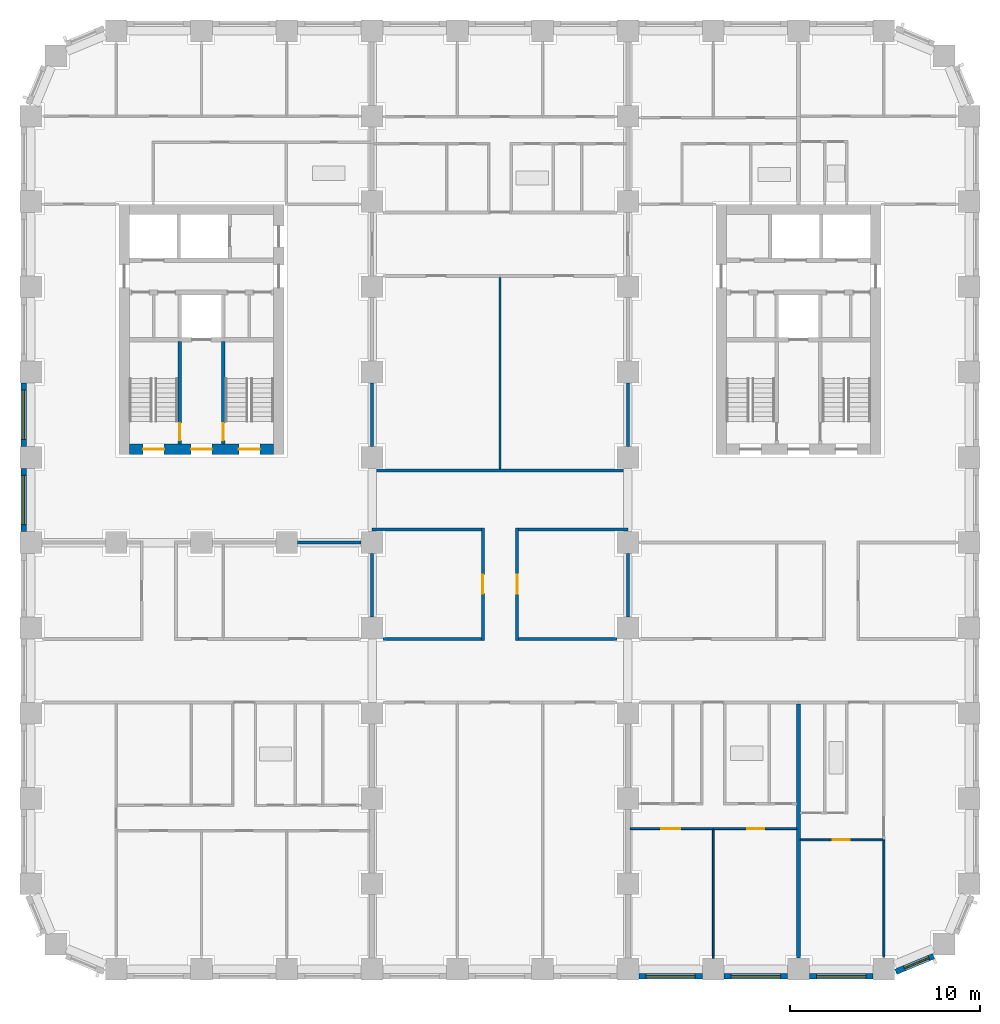
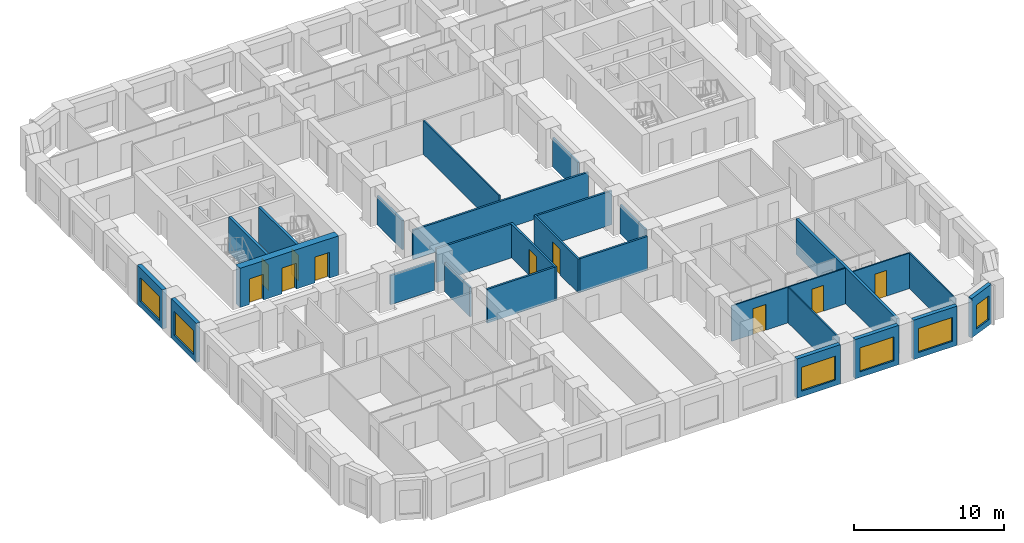
# One storey, part 4 of 13: 28 walls, 10 doors, 6 windows, 16 openings.
"""IFC4 building model written with IfcOpenShell, lengths in metres."""

from ifc_helpers import new_model, si_unit, direction, frame, frame_2d, origin, place, context, subcontext, project, spatial, rectangle, extrude, material, layer, layer_set, type_object, element, fill, save


model = new_model("IFC4")

# Units and contexts
model_context = context("Model", 3, precision=1e-05, world=origin(), true_north=direction((0.0, 1.0)))
body_context = subcontext(model_context, "Body", "Model", "MODEL_VIEW")
ifc_project = project(units=[si_unit("LENGTHUNIT", "METRE"), si_unit("AREAUNIT", "SQUARE_METRE"), si_unit("VOLUMEUNIT", "CUBIC_METRE"), si_unit("PLANEANGLEUNIT", "RADIAN"), si_unit("MASSUNIT", "GRAM", prefix="KILO")], contexts=[model_context])

# Site, building, storey
site_placement = place(None, origin())
site = spatial("IfcSite", under=ifc_project, at=site_placement, CompositionType="ELEMENT")
building_placement = place(site_placement, origin())
building = spatial("IfcBuilding", under=site, at=building_placement, Name="Girih Gate Residences", CompositionType="ELEMENT")
storey_placement = place(building_placement, frame((0.0, 0.0, 80.0)))
storey = spatial("IfcBuildingStorey", under=building, at=storey_placement, Name="L21", CompositionType="ELEMENT", Elevation=80.0)

# Wall, opening, door
ifc_material_1 = material(Name="Gypsum board on steel studs", Category="steel")
ifc_layer_1 = layer(ifc_material_1, 0.14990234375)
ifc_layer_set_1 = layer_set([ifc_layer_1], Name="Compartment wall 150 mm")
wall_type_1 = type_object("IfcWallType", Name="Compartment wall 150 mm", PredefinedType="PARTITIONING", material=ifc_layer_set_1)
wall_1_placement = place(storey_placement, frame((23.85009765625, 17.35009765625, 0.0), z_axis=(0.0, 0.0, 1.0), x_axis=(0.0, 1.0, 0.0)))
wall_1 = element("IfcWall", 1, at=wall_1_placement, inside=storey, type_object=wall_type_1, Name="L21 partition", PredefinedType="PARTITIONING", context=body_context, shape_type="SweptSolid", body=[
    extrude(rectangle(XDim=5.9248046875, YDim=0.14990234375, at=frame_2d((2.96240234375, 0.0))), origin(), (0.0, 0.0, 1.0), 2.75),
])
opening_1_placement = place(wall_1_placement, frame((2.46240234375, 0.0, 0.0)))
opening_1 = element("IfcOpeningElement", 2, at=opening_1_placement, cuts=wall_1, Name="Opening A21-056", PredefinedType="OPENING", context=body_context, shape_type="SweptSolid", body=[
    extrude(rectangle(XDim=1.0, YDim=2.10009765625, at=frame_2d((0.5, 1.050048828125))), frame((0.0, 0.0849609375, 0.0), z_axis=(0.0, -1.0, 0.0), x_axis=(1.0, 0.0, 0.0)), (0.0, 0.0, 1.0), 0.169921875),
])
ifc_material_2 = material(Name="Timber, fire-rated core", Category="wood")
door_type_1 = type_object("IfcDoorType", Name="Amenity room door 1000x2100 FD30S", OperationType="NOTDEFINED", PredefinedType="DOOR", material=ifc_material_2)
door_1_placement = place(opening_1_placement, origin())
door_1 = element("IfcDoor", 3, at=door_1_placement, inside=storey, type_object=door_type_1, Name="Door A21-056", OperationType="SINGLE_SWING_RIGHT", OverallHeight=2.10009765625, OverallWidth=1.0, PredefinedType="DOOR", context=body_context, shape_type="SweptSolid", body=[
    extrude(rectangle(XDim=1.0, YDim=2.10009765625, at=frame_2d((0.5, 1.050048828125))), frame((0.0, 0.02490234375, 0.0), z_axis=(0.0, -1.0, 0.0), x_axis=(1.0, 0.0, 0.0)), (0.0, 0.0, 1.0), 0.050048828125),
])
fill(opening_1, door_1)

wall_2_placement = place(storey_placement, frame((25.64990234375, 23.27490234375, 0.0), z_axis=(0.0, 0.0, 1.0), x_axis=(0.0, -1.0, 0.0)))
wall_2 = element("IfcWall", 4, at=wall_2_placement, inside=storey, type_object=wall_type_1, Name="L21 partition", PredefinedType="PARTITIONING", context=body_context, shape_type="SweptSolid", body=[
    extrude(rectangle(XDim=5.9248046875, YDim=0.14990234375, at=frame_2d((2.96240234375, 0.0))), origin(), (0.0, 0.0, 1.0), 2.75),
])
opening_2_placement = place(wall_2_placement, frame((2.46240234375, 0.0, 0.0)))
opening_2 = element("IfcOpeningElement", 5, at=opening_2_placement, cuts=wall_2, Name="Opening A21-057", PredefinedType="OPENING", context=body_context, shape_type="SweptSolid", body=[
    extrude(rectangle(XDim=1.0, YDim=2.10009765625, at=frame_2d((0.5, 1.050048828125))), frame((0.0, 0.0849609375, 0.0), z_axis=(0.0, -1.0, 0.0), x_axis=(1.0, 0.0, 0.0)), (0.0, 0.0, 1.0), 0.169921875),
])
door_2_placement = place(opening_2_placement, origin())
door_2 = element("IfcDoor", 6, at=door_2_placement, inside=storey, type_object=door_type_1, Name="Door A21-057", OperationType="SINGLE_SWING_RIGHT", OverallHeight=2.10009765625, OverallWidth=1.0, PredefinedType="DOOR", context=body_context, shape_type="SweptSolid", body=[
    extrude(rectangle(XDim=1.0, YDim=2.10009765625, at=frame_2d((0.5, 1.050048828125))), frame((0.0, 0.02490234375, 0.0), z_axis=(0.0, -1.0, 0.0), x_axis=(1.0, 0.0, 0.0)), (0.0, 0.0, 1.0), 0.050048828125),
])
fill(opening_2, door_2)

# Walls
for number, where, z_axis, x_axis, name in (
    (7, (18.574951171875, 17.425048828125, 0.0), (0.0, 0.0, 1.0), (1.0, 0.0, 0.0), "L21 partition"),
    (8, (25.72509765625, 17.425048828125, 0.0), (0.0, 0.0, 1.0), (1.0, 0.0, 0.0), "L21 partition"),
):
    element("IfcWall", number, at=place(storey_placement, frame(where, z_axis=z_axis, x_axis=x_axis)), inside=storey, type_object=wall_type_1, Name=name, PredefinedType="PARTITIONING", context=body_context, shape_type="SweptSolid", body=[
        extrude(rectangle(XDim=5.199951171875, YDim=0.14990234375, at=frame_2d((2.60009765625, 0.0))), origin(), (0.0, 0.0, 1.0), 2.75),
    ])
wall_3_placement = place(storey_placement, frame((18.0, 27.574951171875, 0.0), z_axis=(0.0, 0.0, 1.0), x_axis=(0.0, 1.0, 0.0)))
element("IfcWall", 9, at=wall_3_placement, inside=storey, type_object=wall_type_1, Name="L21 partition", PredefinedType="PARTITIONING", context=body_context, shape_type="SweptSolid", body=[
    extrude(rectangle(XDim=3.35009765625, YDim=0.14990234375, at=frame_2d((1.675048828125, 0.0))), origin(), (0.0, 0.0, 1.0), 2.3798828125),
])
wall_4_placement = place(storey_placement, frame((18.0, 26.300048828125, 0.0), z_axis=(0.0, 0.0, 1.0), x_axis=(1.0, 0.0, 0.0)))
element("IfcWall", 10, at=wall_4_placement, inside=storey, type_object=wall_type_1, Name="L21 partition", PredefinedType="PARTITIONING", context=body_context, shape_type="SweptSolid", body=[
    extrude(rectangle(XDim=13.5, YDim=0.14990234375, at=frame_2d((6.75, 0.0))), origin(), (0.0, 0.0, 1.0), 2.3798828125),
])
wall_5_placement = place(storey_placement, frame((31.5, 27.574951171875, 0.0), z_axis=(0.0, 0.0, 1.0), x_axis=(0.0, 1.0, 0.0)))
element("IfcWall", 11, at=wall_5_placement, inside=storey, type_object=wall_type_1, Name="L21 partition", PredefinedType="PARTITIONING", context=body_context, shape_type="SweptSolid", body=[
    extrude(rectangle(XDim=3.35009765625, YDim=0.14990234375, at=frame_2d((1.675048828125, 0.0))), origin(), (0.0, 0.0, 1.0), 2.3798828125),
])
wall_6_placement = place(storey_placement, frame((18.0, 23.199951171875, 0.0), z_axis=(0.0, 0.0, 1.0), x_axis=(1.0, 0.0, 0.0)))
element("IfcWall", 12, at=wall_6_placement, inside=storey, type_object=wall_type_1, Name="L21 partition", PredefinedType="PARTITIONING", context=body_context, shape_type="SweptSolid", body=[
    extrude(rectangle(XDim=5.77490234375, YDim=0.14990234375, at=frame_2d((2.887451171875, 0.0))), origin(), (0.0, 0.0, 1.0), 2.75),
])
wall_7_placement = place(storey_placement, frame((18.0, 18.574951171875, 0.0), z_axis=(0.0, 0.0, 1.0), x_axis=(0.0, 1.0, 0.0)))
element("IfcWall", 13, at=wall_7_placement, inside=storey, type_object=wall_type_1, Name="L21 partition", PredefinedType="PARTITIONING", context=body_context, shape_type="SweptSolid", body=[
    extrude(rectangle(XDim=3.35009765625, YDim=0.14990234375, at=frame_2d((1.675048828125, 0.0))), origin(), (0.0, 0.0, 1.0), 2.3798828125),
])
wall_8_placement = place(storey_placement, frame((25.72509765625, 23.199951171875, 0.0), z_axis=(0.0, 0.0, 1.0), x_axis=(1.0, 0.0, 0.0)))
element("IfcWall", 14, at=wall_8_placement, inside=storey, type_object=wall_type_1, Name="L21 partition", PredefinedType="PARTITIONING", context=body_context, shape_type="SweptSolid", body=[
    extrude(rectangle(XDim=5.77490234375, YDim=0.14990234375, at=frame_2d((2.887451171875, 0.0))), origin(), (0.0, 0.0, 1.0), 2.75),
])
for number, where, z_axis, x_axis, name in (
    (15, (31.5, 18.574951171875, 0.0), (0.0, 0.0, 1.0), (0.0, 1.0, 0.0), "L21 partition"),
    (16, (14.074951171875, 22.5, 0.0), (0.0, 0.0, 1.0), (1.0, 0.0, 0.0), "L21 partition"),
):
    element("IfcWall", number, at=place(storey_placement, frame(where, z_axis=z_axis, x_axis=x_axis)), inside=storey, type_object=wall_type_1, Name=name, PredefinedType="PARTITIONING", context=body_context, shape_type="SweptSolid", body=[
        extrude(rectangle(XDim=3.35009765625, YDim=0.14990234375, at=frame_2d((1.675048828125, 0.0))), origin(), (0.0, 0.0, 1.0), 2.3798828125),
    ])

# Wall, openings, doors
ifc_material_3 = material(Name="Concrete C60/75", Category="concrete")
ifc_layer_2 = layer(ifc_material_3, 0.550048828125)
ifc_layer_set_2 = layer_set([ifc_layer_2], Name="Core wall RC 550 Concrete C60/75")
wall_type_2 = type_object("IfcWallType", Name="Core wall RC 550 Concrete C60/75", PredefinedType="SOLIDWALL", material=ifc_layer_set_2)
wall_9_placement = place(storey_placement, frame((5.199951171875, 27.425048828125, 0.0), z_axis=(0.0, 0.0, 1.0), x_axis=(1.0, 0.0, 0.0)))
wall_9 = element("IfcWall", 17, at=wall_9_placement, inside=storey, type_object=wall_type_2, Name="Core wall W-S L21", PredefinedType="SOLIDWALL", context=body_context, shape_type="SweptSolid", body=[
    extrude(rectangle(XDim=7.60009765625, YDim=0.550048828125, at=frame_2d((3.800048828125, 0.0))), origin(), (0.0, 0.0, 1.0), 3.199951171875),
])
opening_3_placement = place(wall_9_placement, frame((0.72509765625, 0.0, 0.0)))
opening_3 = element("IfcOpeningElement", 18, at=opening_3_placement, cuts=wall_9, Name="Opening D-L21-W-010", PredefinedType="OPENING", context=body_context, shape_type="SweptSolid", body=[
    extrude(rectangle(XDim=1.10009765625, YDim=2.10009765625, at=frame_2d((0.550048828125, 1.050048828125))), frame((0.0, 0.284912109375, 0.0), z_axis=(0.0, -1.0, 0.0), x_axis=(1.0, 0.0, 0.0)), (0.0, 0.0, 1.0), 0.570068359375),
])
opening_4_placement = place(wall_9_placement, frame((3.25, 0.0, 0.0)))
opening_4 = element("IfcOpeningElement", 19, at=opening_4_placement, cuts=wall_9, Name="Opening D-L21-W-011", PredefinedType="OPENING", context=body_context, shape_type="SweptSolid", body=[
    extrude(rectangle(XDim=1.10009765625, YDim=2.10009765625, at=frame_2d((0.550048828125, 1.050048828125))), frame((0.0, 0.284912109375, 0.0), z_axis=(0.0, -1.0, 0.0), x_axis=(1.0, 0.0, 0.0)), (0.0, 0.0, 1.0), 0.570068359375),
])
opening_5_placement = place(wall_9_placement, frame((5.77490234375, 0.0, 0.0)))
opening_5 = element("IfcOpeningElement", 20, at=opening_5_placement, cuts=wall_9, Name="Opening D-L21-W-012", PredefinedType="OPENING", context=body_context, shape_type="SweptSolid", body=[
    extrude(rectangle(XDim=1.10009765625, YDim=2.10009765625, at=frame_2d((0.550048828125, 1.050048828125))), frame((0.0, 0.284912109375, 0.0), z_axis=(0.0, -1.0, 0.0), x_axis=(1.0, 0.0, 0.0)), (0.0, 0.0, 1.0), 0.570068359375),
])
ifc_material_4 = material(Name="Painted steel, fire-resisting", Category="steel")
door_type_2 = type_object("IfcDoorType", Name="Fire door 1100x2100", OperationType="SINGLE_SWING_LEFT", PredefinedType="DOOR", material=ifc_material_4)
door_3_placement = place(opening_3_placement, origin())
door_3 = element("IfcDoor", 21, at=door_3_placement, inside=storey, type_object=door_type_2, Name="L21 W core door sta-out", OperationType="SINGLE_SWING_LEFT", OverallHeight=2.10009765625, OverallWidth=1.10009765625, PredefinedType="DOOR", context=body_context, shape_type="SweptSolid", body=[
    extrude(rectangle(XDim=1.10009765625, YDim=2.10009765625, at=frame_2d((0.550048828125, 1.050048828125))), frame((0.0, 0.02490234375, 0.0), z_axis=(0.0, -1.0, 0.0), x_axis=(1.0, 0.0, 0.0)), (0.0, 0.0, 1.0), 0.050048828125),
])
fill(opening_3, door_3)
door_4_placement = place(opening_4_placement, origin())
door_4 = element("IfcDoor", 22, at=door_4_placement, inside=storey, type_object=door_type_2, Name="L21 W core door ffl-out", OperationType="SINGLE_SWING_LEFT", OverallHeight=2.10009765625, OverallWidth=1.10009765625, PredefinedType="DOOR", context=body_context, shape_type="SweptSolid", body=[
    extrude(rectangle(XDim=1.10009765625, YDim=2.10009765625, at=frame_2d((0.550048828125, 1.050048828125))), frame((0.0, 0.02490234375, 0.0), z_axis=(0.0, -1.0, 0.0), x_axis=(1.0, 0.0, 0.0)), (0.0, 0.0, 1.0), 0.050048828125),
])
fill(opening_4, door_4)
door_5_placement = place(opening_5_placement, origin())
door_5 = element("IfcDoor", 23, at=door_5_placement, inside=storey, type_object=door_type_2, Name="L21 W core door stb-out", OperationType="SINGLE_SWING_LEFT", OverallHeight=2.10009765625, OverallWidth=1.10009765625, PredefinedType="DOOR", context=body_context, shape_type="SweptSolid", body=[
    extrude(rectangle(XDim=1.10009765625, YDim=2.10009765625, at=frame_2d((0.550048828125, 1.050048828125))), frame((0.0, 0.02490234375, 0.0), z_axis=(0.0, -1.0, 0.0), x_axis=(1.0, 0.0, 0.0)), (0.0, 0.0, 1.0), 0.050048828125),
])
fill(opening_5, door_5)

# Wall, opening, door
ifc_layer_3 = layer(ifc_material_1, 0.10009765625)
ifc_layer_set_3 = layer_set([ifc_layer_3], Name="Partition 100 mm")
wall_type_3 = type_object("IfcWallType", Name="Partition 100 mm", PredefinedType="PARTITIONING", material=ifc_layer_set_3)
wall_10_placement = place(storey_placement, frame((44.949951171875, 6.81494140625, 0.0), z_axis=(0.0, 0.0, 1.0), x_axis=(-1.0, 0.0, 0.0)))
wall_10 = element("IfcWall", 24, at=wall_10_placement, inside=storey, type_object=wall_type_3, Name="L21 partition", PredefinedType="PARTITIONING", context=body_context, shape_type="SweptSolid", body=[
    extrude(rectangle(XDim=4.349853515625, YDim=0.10009765625, at=frame_2d((2.1748046875, 0.0))), origin(), (0.0, 0.0, 1.0), 2.89990234375),
])
opening_6_placement = place(wall_10_placement, frame((1.75, 0.0, 0.0)))
opening_6 = element("IfcOpeningElement", 25, at=opening_6_placement, cuts=wall_10, Name="Opening A21-019", PredefinedType="OPENING", context=body_context, shape_type="SweptSolid", body=[
    extrude(rectangle(XDim=0.89990234375, YDim=2.10009765625, at=frame_2d((0.449951171875, 1.050048828125))), frame((0.0, 0.06005859375, 0.0), z_axis=(0.0, -1.0, 0.0), x_axis=(1.0, 0.0, 0.0)), (0.0, 0.0, 1.0), 0.1201171875),
])
ifc_material_5 = material(Name="Timber", Category="wood")
door_type_3 = type_object("IfcDoorType", Name="Bedroom door 900x2100", OperationType="NOTDEFINED", PredefinedType="DOOR", material=ifc_material_5)
door_6_placement = place(opening_6_placement, origin())
door_6 = element("IfcDoor", 26, at=door_6_placement, inside=storey, type_object=door_type_3, Name="Door A21-019", OperationType="SINGLE_SWING_RIGHT", OverallHeight=2.10009765625, OverallWidth=0.89990234375, PredefinedType="DOOR", context=body_context, shape_type="SweptSolid", body=[
    extrude(rectangle(XDim=0.89990234375, YDim=2.10009765625, at=frame_2d((0.449951171875, 1.050048828125))), frame((0.0, 0.02490234375, 0.0), z_axis=(0.0, -1.0, 0.0), x_axis=(1.0, 0.0, 0.0)), (0.0, 0.0, 1.0), 0.050048828125),
])
fill(opening_6, door_6)

# Wall
wall_11_placement = place(storey_placement, frame((45.0, 0.622314453125, 0.0), z_axis=(0.0, 0.0, 1.0), x_axis=(0.0, 1.0, 0.0)))
element("IfcWall", 27, at=wall_11_placement, inside=storey, type_object=wall_type_3, Name="L21 partition", PredefinedType="PARTITIONING", context=body_context, shape_type="SweptSolid", body=[
    extrude(rectangle(XDim=6.192626953125, YDim=0.10009765625, at=frame_2d((3.09619140625, 0.0))), origin(), (0.0, 0.0, 1.0), 2.89990234375),
])

# Wall, opening, door
wall_12_placement = place(storey_placement, frame((40.39990234375, 7.4150390625, 0.0), z_axis=(0.0, 0.0, 1.0), x_axis=(-1.0, 0.0, 0.0)))
wall_12 = element("IfcWall", 28, at=wall_12_placement, inside=storey, type_object=wall_type_3, Name="L21 partition", PredefinedType="PARTITIONING", context=body_context, shape_type="SweptSolid", body=[
    extrude(rectangle(XDim=4.39990234375, YDim=0.10009765625, at=frame_2d((2.199951171875, 0.0))), origin(), (0.0, 0.0, 1.0), 2.89990234375),
])
opening_7_placement = place(wall_12_placement, frame((1.699951171875, 0.0, 0.0)))
opening_7 = element("IfcOpeningElement", 29, at=opening_7_placement, cuts=wall_12, Name="Opening A21-024", PredefinedType="OPENING", context=body_context, shape_type="SweptSolid", body=[
    extrude(rectangle(XDim=0.89990234375, YDim=2.10009765625, at=frame_2d((0.449951171875, 1.050048828125))), frame((0.0, 0.06005859375, 0.0), z_axis=(0.0, -1.0, 0.0), x_axis=(1.0, 0.0, 0.0)), (0.0, 0.0, 1.0), 0.1201171875),
])
door_7_placement = place(opening_7_placement, origin())
door_7 = element("IfcDoor", 30, at=door_7_placement, inside=storey, type_object=door_type_3, Name="Door A21-024", OperationType="SINGLE_SWING_LEFT", OverallHeight=2.10009765625, OverallWidth=0.89990234375, PredefinedType="DOOR", context=body_context, shape_type="SweptSolid", body=[
    extrude(rectangle(XDim=0.89990234375, YDim=2.10009765625, at=frame_2d((0.449951171875, 1.050048828125))), frame((0.0, 0.02490234375, 0.0), z_axis=(0.0, -1.0, 0.0), x_axis=(1.0, 0.0, 0.0)), (0.0, 0.0, 1.0), 0.050048828125),
])
fill(opening_7, door_7)

# Wall
wall_13_placement = place(storey_placement, frame((36.0, 0.574951171875, 0.0), z_axis=(0.0, 0.0, 1.0), x_axis=(0.0, 1.0, 0.0)))
element("IfcWall", 31, at=wall_13_placement, inside=storey, type_object=wall_type_3, Name="L21 partition", PredefinedType="PARTITIONING", context=body_context, shape_type="SweptSolid", body=[
    extrude(rectangle(XDim=6.7900390625, YDim=0.10009765625, at=frame_2d((3.39501953125, 0.0))), origin(), (0.0, 0.0, 1.0), 2.89990234375),
])

# Wall, opening, door
wall_14_placement = place(storey_placement, frame((36.0, 7.4150390625, 0.0), z_axis=(0.0, 0.0, 1.0), x_axis=(-1.0, 0.0, 0.0)))
wall_14 = element("IfcWall", 32, at=wall_14_placement, inside=storey, type_object=wall_type_3, Name="L21 partition", PredefinedType="PARTITIONING", context=body_context, shape_type="SweptSolid", body=[
    extrude(rectangle(XDim=4.375, YDim=0.10009765625, at=frame_2d((2.1875, 0.0))), origin(), (0.0, 0.0, 1.0), 2.89990234375),
])
opening_8_placement = place(wall_14_placement, frame((1.75, 0.0, 0.0)))
opening_8 = element("IfcOpeningElement", 33, at=opening_8_placement, cuts=wall_14, Name="Opening A21-026", PredefinedType="OPENING", context=body_context, shape_type="SweptSolid", body=[
    extrude(rectangle(XDim=1.0, YDim=2.10009765625, at=frame_2d((0.5, 1.050048828125))), frame((0.0, 0.06005859375, 0.0), z_axis=(0.0, -1.0, 0.0), x_axis=(1.0, 0.0, 0.0)), (0.0, 0.0, 1.0), 0.1201171875),
])
door_type_4 = type_object("IfcDoorType", Name="Living room door 1000x2100", OperationType="NOTDEFINED", PredefinedType="DOOR", material=ifc_material_5)
door_8_placement = place(opening_8_placement, origin())
door_8 = element("IfcDoor", 34, at=door_8_placement, inside=storey, type_object=door_type_4, Name="Door A21-026", OperationType="SINGLE_SWING_RIGHT", OverallHeight=2.10009765625, OverallWidth=1.0, PredefinedType="DOOR", context=body_context, shape_type="SweptSolid", body=[
    extrude(rectangle(XDim=1.0, YDim=2.10009765625, at=frame_2d((0.5, 1.050048828125))), frame((0.0, 0.02490234375, 0.0), z_axis=(0.0, -1.0, 0.0), x_axis=(1.0, 0.0, 0.0)), (0.0, 0.0, 1.0), 0.050048828125),
])
fill(opening_8, door_8)

# Walls
wall_15_placement = place(storey_placement, frame((24.75, 26.375, 0.0), z_axis=(0.0, 0.0, 1.0), x_axis=(0.0, 1.0, 0.0)))
element("IfcWall", 35, at=wall_15_placement, inside=storey, type_object=wall_type_3, Name="L21 partition", PredefinedType="PARTITIONING", context=body_context, shape_type="SweptSolid", body=[
    extrude(rectangle(XDim=10.125, YDim=0.10009765625, at=frame_2d((5.0625, 0.0))), origin(), (0.0, 0.0, 1.0), 2.75),
])
ifc_layer_4 = layer(ifc_material_1, 0.199951171875)
ifc_layer_set_4 = layer_set([ifc_layer_4], Name="Party wall 200 mm")
wall_type_4 = type_object("IfcWallType", Name="Party wall 200 mm", PredefinedType="PARTITIONING", material=ifc_layer_set_4)
wall_16_placement = place(storey_placement, frame((40.5, 0.574951171875, 0.0), z_axis=(0.0, 0.0, 1.0), x_axis=(0.0, 1.0, 0.0)))
element("IfcWall", 36, at=wall_16_placement, inside=storey, type_object=wall_type_4, Name="L21 partition", PredefinedType="PARTITIONING", context=body_context, shape_type="SweptSolid", body=[
    extrude(rectangle(XDim=13.425048828125, YDim=0.199951171875, at=frame_2d((6.71240234375, 0.0))), origin(), (0.0, 0.0, 1.0), 2.89990234375),
])

# Wall, opening, window
ifc_material_6 = material(Name="Precast concrete C50/60", Category="concrete")
ifc_layer_5 = layer(ifc_material_6, 0.080078125, Name="Outer leaf")
ifc_material_7 = material(Name="Rigid PIR insulation")
ifc_layer_6 = layer(ifc_material_7, 0.14990234375, Name="Insulation")
ifc_material_8 = material(Name="Precast concrete C40/50", Category="concrete")
ifc_layer_7 = layer(ifc_material_8, 0.070068359375, Name="Inner leaf")
ifc_layer_set_5 = layer_set([ifc_layer_5, ifc_layer_6, ifc_layer_7], Name="Precast concrete C50/60 external wall 300")
wall_type_5 = type_object("IfcWallType", Name="Precast concrete C50/60 external wall 300", PredefinedType="SOLIDWALL", material=ifc_layer_set_5)
wall_17_placement = place(storey_placement, frame((35.425048828125, -0.375, 0.0), z_axis=(0.0, 0.0, 1.0), x_axis=(-1.0, 0.0, 0.0)))
wall_17 = element("IfcWall", 37, at=wall_17_placement, inside=storey, type_object=wall_type_5, Name="External wall S0045_0000.6", PredefinedType="SOLIDWALL", context=body_context, shape_type="SweptSolid", body=[
    extrude(rectangle(XDim=3.35009765625, YDim=0.300048828125, at=frame_2d((1.675048828125, 0.0))), origin(), (0.0, 0.0, 1.0), 3.199951171875),
])
opening_9_placement = place(wall_17_placement, frame((0.375, 0.0, 0.449951171875)))
opening_9 = element("IfcOpeningElement", 38, at=opening_9_placement, cuts=wall_17, Name="Opening W-1A", PredefinedType="OPENING", context=body_context, shape_type="SweptSolid", body=[
    extrude(rectangle(XDim=2.60009765625, YDim=1.949951171875, at=frame_2d((1.300048828125, 0.97509765625))), frame((0.0, 0.159912109375, 0.0), z_axis=(0.0, -1.0, 0.0), x_axis=(1.0, 0.0, 0.0)), (0.0, 0.0, 1.0), 0.320068359375),
])
ifc_material_9 = material(Name="Double glazing in aluminium frame", Category="aluminium")
window_type_1 = type_object("IfcWindowType", Name="Window W-1A 2600x1950", PartitioningType="SINGLE_PANEL", PredefinedType="WINDOW", material=ifc_material_9)
window_1_placement = place(opening_9_placement, origin())
window_1 = element("IfcWindow", 39, at=window_1_placement, inside=storey, type_object=window_type_1, Name="Window W-1A S0045_0000.6", OverallHeight=1.949951171875, OverallWidth=2.60009765625, PartitioningType="SINGLE_PANEL", PredefinedType="WINDOW", context=body_context, shape_type="SweptSolid", body=[
    extrude(rectangle(XDim=2.60009765625, YDim=1.949951171875, at=frame_2d((1.300048828125, 0.97509765625))), frame((0.0, 0.030029296875, 0.0), z_axis=(0.0, -1.0, 0.0), x_axis=(1.0, 0.0, 0.0)), (0.0, 0.0, 1.0), 0.06005859375),
])
fill(opening_9, window_1)

wall_18_placement = place(storey_placement, frame((39.925048828125, -0.375, 0.0), z_axis=(0.0, 0.0, 1.0), x_axis=(-1.0, 0.0, 0.0)))
wall_18 = element("IfcWall", 40, at=wall_18_placement, inside=storey, type_object=wall_type_5, Name="External wall S0045_0000.7", PredefinedType="SOLIDWALL", context=body_context, shape_type="SweptSolid", body=[
    extrude(rectangle(XDim=3.35009765625, YDim=0.300048828125, at=frame_2d((1.675048828125, 0.0))), origin(), (0.0, 0.0, 1.0), 3.199951171875),
])
opening_10_placement = place(wall_18_placement, frame((0.375, 0.0, 0.449951171875)))
opening_10 = element("IfcOpeningElement", 41, at=opening_10_placement, cuts=wall_18, Name="Opening W-1A", PredefinedType="OPENING", context=body_context, shape_type="SweptSolid", body=[
    extrude(rectangle(XDim=2.60009765625, YDim=1.949951171875, at=frame_2d((1.300048828125, 0.97509765625))), frame((0.0, 0.159912109375, 0.0), z_axis=(0.0, -1.0, 0.0), x_axis=(1.0, 0.0, 0.0)), (0.0, 0.0, 1.0), 0.320068359375),
])
window_2_placement = place(opening_10_placement, origin())
window_2 = element("IfcWindow", 42, at=window_2_placement, inside=storey, type_object=window_type_1, Name="Window W-1A S0045_0000.7", OverallHeight=1.949951171875, OverallWidth=2.60009765625, PartitioningType="SINGLE_PANEL", PredefinedType="WINDOW", context=body_context, shape_type="SweptSolid", body=[
    extrude(rectangle(XDim=2.60009765625, YDim=1.949951171875, at=frame_2d((1.300048828125, 0.97509765625))), frame((0.0, 0.030029296875, 0.0), z_axis=(0.0, -1.0, 0.0), x_axis=(1.0, 0.0, 0.0)), (0.0, 0.0, 1.0), 0.06005859375),
])
fill(opening_10, window_2)

wall_19_placement = place(storey_placement, frame((44.425048828125, -0.375, 0.0), z_axis=(0.0, 0.0, 1.0), x_axis=(-1.0, 0.0, 0.0)))
wall_19 = element("IfcWall", 43, at=wall_19_placement, inside=storey, type_object=wall_type_5, Name="External wall S0045_0000.8", PredefinedType="SOLIDWALL", context=body_context, shape_type="SweptSolid", body=[
    extrude(rectangle(XDim=3.35009765625, YDim=0.300048828125, at=frame_2d((1.675048828125, 0.0))), origin(), (0.0, 0.0, 1.0), 3.199951171875),
])
opening_11_placement = place(wall_19_placement, frame((0.375, 0.0, 0.449951171875)))
opening_11 = element("IfcOpeningElement", 44, at=opening_11_placement, cuts=wall_19, Name="Opening W-1A", PredefinedType="OPENING", context=body_context, shape_type="SweptSolid", body=[
    extrude(rectangle(XDim=2.60009765625, YDim=1.949951171875, at=frame_2d((1.300048828125, 0.97509765625))), frame((0.0, 0.159912109375, 0.0), z_axis=(0.0, -1.0, 0.0), x_axis=(1.0, 0.0, 0.0)), (0.0, 0.0, 1.0), 0.320068359375),
])
window_3_placement = place(opening_11_placement, origin())
window_3 = element("IfcWindow", 45, at=window_3_placement, inside=storey, type_object=window_type_1, Name="Window W-1A S0045_0000.8", OverallHeight=1.949951171875, OverallWidth=2.60009765625, PartitioningType="SINGLE_PANEL", PredefinedType="WINDOW", context=body_context, shape_type="SweptSolid", body=[
    extrude(rectangle(XDim=2.60009765625, YDim=1.949951171875, at=frame_2d((1.300048828125, 0.97509765625))), frame((0.0, 0.030029296875, 0.0), z_axis=(0.0, -1.0, 0.0), x_axis=(1.0, 0.0, 0.0)), (0.0, 0.0, 1.0), 0.06005859375),
])
fill(opening_11, window_3)

wall_20_placement = place(storey_placement, frame((47.63134765625, 0.68408203125, 0.0), z_axis=(0.0, 0.0, 1.0), x_axis=(-0.923862802911, -0.382723818695, 0.0)))
wall_20 = element("IfcWall", 46, at=wall_20_placement, inside=storey, type_object=wall_type_5, Name="External wall SE0450_0000.0", PredefinedType="SOLIDWALL", context=body_context, shape_type="SweptSolid", body=[
    extrude(rectangle(XDim=2.163818359375, YDim=0.300048828125, at=frame_2d((1.08203125, 0.0))), origin(), (0.0, 0.0, 1.0), 3.199951171875),
])
opening_12_placement = place(wall_20_placement, frame((0.270751953125, 0.0, 0.449951171875)))
opening_12 = element("IfcOpeningElement", 47, at=opening_12_placement, cuts=wall_20, Name="Opening W-2D", PredefinedType="OPENING", context=body_context, shape_type="SweptSolid", body=[
    extrude(rectangle(XDim=1.39990234375, YDim=1.949951171875, at=frame_2d((0.699951171875, 0.97509765625))), frame((0.0, 0.159912109375, 0.0), z_axis=(0.0, -1.0, 0.0), x_axis=(1.0, 0.0, 0.0)), (0.0, 0.0, 1.0), 0.320068359375),
])
window_type_2 = type_object("IfcWindowType", Name="Window W-2D 1400x1950", PartitioningType="SINGLE_PANEL", PredefinedType="WINDOW", material=ifc_material_9)
window_4_placement = place(opening_12_placement, origin())
window_4 = element("IfcWindow", 48, at=window_4_placement, inside=storey, type_object=window_type_2, Name="Window W-2D SE0450_0000.0", OverallHeight=1.949951171875, OverallWidth=1.39990234375, PartitioningType="SINGLE_PANEL", PredefinedType="WINDOW", context=body_context, shape_type="SweptSolid", body=[
    extrude(rectangle(XDim=1.39990234375, YDim=1.949951171875, at=frame_2d((0.699951171875, 0.97509765625))), frame((0.0, 0.030029296875, 0.0), z_axis=(0.0, -1.0, 0.0), x_axis=(1.0, 0.0, 0.0)), (0.0, 0.0, 1.0), 0.06005859375),
])
fill(opening_12, window_4)

wall_21_placement = place(storey_placement, frame((-0.375, 27.574951171875, 0.0), z_axis=(0.0, 0.0, 1.0), x_axis=(0.0, 1.0, 0.0)))
wall_21 = element("IfcWall", 49, at=wall_21_placement, inside=storey, type_object=wall_type_5, Name="External wall W0000_0450.3", PredefinedType="SOLIDWALL", context=body_context, shape_type="SweptSolid", body=[
    extrude(rectangle(XDim=3.35009765625, YDim=0.300048828125, at=frame_2d((1.675048828125, 0.0))), origin(), (0.0, 0.0, 1.0), 3.199951171875),
])
opening_13_placement = place(wall_21_placement, frame((0.375, 0.0, 0.449951171875)))
opening_13 = element("IfcOpeningElement", 50, at=opening_13_placement, cuts=wall_21, Name="Opening W-1A", PredefinedType="OPENING", context=body_context, shape_type="SweptSolid", body=[
    extrude(rectangle(XDim=2.60009765625, YDim=1.949951171875, at=frame_2d((1.300048828125, 0.97509765625))), frame((0.0, 0.159912109375, 0.0), z_axis=(0.0, -1.0, 0.0), x_axis=(1.0, 0.0, 0.0)), (0.0, 0.0, 1.0), 0.320068359375),
])
window_5_placement = place(opening_13_placement, origin())
window_5 = element("IfcWindow", 51, at=window_5_placement, inside=storey, type_object=window_type_1, Name="Window W-1A W0000_0450.3", OverallHeight=1.949951171875, OverallWidth=2.60009765625, PartitioningType="SINGLE_PANEL", PredefinedType="WINDOW", context=body_context, shape_type="SweptSolid", body=[
    extrude(rectangle(XDim=2.60009765625, YDim=1.949951171875, at=frame_2d((1.300048828125, 0.97509765625))), frame((0.0, 0.030029296875, 0.0), z_axis=(0.0, -1.0, 0.0), x_axis=(1.0, 0.0, 0.0)), (0.0, 0.0, 1.0), 0.06005859375),
])
fill(opening_13, window_5)

wall_22_placement = place(storey_placement, frame((-0.375, 23.074951171875, 0.0), z_axis=(0.0, 0.0, 1.0), x_axis=(0.0, 1.0, 0.0)))
wall_22 = element("IfcWall", 52, at=wall_22_placement, inside=storey, type_object=wall_type_5, Name="External wall W0000_0450.4", PredefinedType="SOLIDWALL", context=body_context, shape_type="SweptSolid", body=[
    extrude(rectangle(XDim=3.35009765625, YDim=0.300048828125, at=frame_2d((1.675048828125, 0.0))), origin(), (0.0, 0.0, 1.0), 3.199951171875),
])
opening_14_placement = place(wall_22_placement, frame((0.375, 0.0, 0.449951171875)))
opening_14 = element("IfcOpeningElement", 53, at=opening_14_placement, cuts=wall_22, Name="Opening W-1A", PredefinedType="OPENING", context=body_context, shape_type="SweptSolid", body=[
    extrude(rectangle(XDim=2.60009765625, YDim=1.949951171875, at=frame_2d((1.300048828125, 0.97509765625))), frame((0.0, 0.159912109375, 0.0), z_axis=(0.0, -1.0, 0.0), x_axis=(1.0, 0.0, 0.0)), (0.0, 0.0, 1.0), 0.320068359375),
])
window_6_placement = place(opening_14_placement, origin())
window_6 = element("IfcWindow", 54, at=window_6_placement, inside=storey, type_object=window_type_1, Name="Window W-1A W0000_0450.4", OverallHeight=1.949951171875, OverallWidth=2.60009765625, PartitioningType="SINGLE_PANEL", PredefinedType="WINDOW", context=body_context, shape_type="SweptSolid", body=[
    extrude(rectangle(XDim=2.60009765625, YDim=1.949951171875, at=frame_2d((1.300048828125, 0.97509765625))), frame((0.0, 0.030029296875, 0.0), z_axis=(0.0, -1.0, 0.0), x_axis=(1.0, 0.0, 0.0)), (0.0, 0.0, 1.0), 0.06005859375),
])
fill(opening_14, window_6)

# Wall, opening, door
ifc_material_10 = material(Name="Concrete C40/50", Category="concrete")
ifc_layer_8 = layer(ifc_material_10, 0.199951171875)
ifc_layer_set_6 = layer_set([ifc_layer_8], Name="Shaft wall 200")
wall_type_6 = type_object("IfcWallType", Name="Shaft wall 200", PredefinedType="SOLIDWALL", material=ifc_layer_set_6)
wall_23_placement = place(storey_placement, frame((7.85009765625, 27.699951171875, 0.0), z_axis=(0.0, 0.0, 1.0), x_axis=(0.0, 1.0, 0.0)))
wall_23 = element("IfcWall", 55, at=wall_23_placement, inside=storey, type_object=wall_type_6, Name="L21 W core wall V1a", PredefinedType="SOLIDWALL", context=body_context, shape_type="SweptSolid", body=[
    extrude(rectangle(XDim=5.400146484375, YDim=0.199951171875, at=frame_2d((2.7001953125, 0.0))), origin(), (0.0, 0.0, 1.0), 2.89990234375),
])
opening_15_placement = place(wall_23_placement, frame((0.199951171875, 0.0, 0.0)))
opening_15 = element("IfcOpeningElement", 56, at=opening_15_placement, cuts=wall_23, Name="Opening D-L21-W-001", PredefinedType="OPENING", context=body_context, shape_type="SweptSolid", body=[
    extrude(rectangle(XDim=0.89990234375, YDim=2.10009765625, at=frame_2d((0.449951171875, 1.050048828125))), frame((0.0, 0.10986328125, 0.0), z_axis=(0.0, -1.0, 0.0), x_axis=(1.0, 0.0, 0.0)), (0.0, 0.0, 1.0), 0.219970703125),
])
door_type_5 = type_object("IfcDoorType", Name="Fire door 900x2100", OperationType="SINGLE_SWING_LEFT", PredefinedType="DOOR", material=ifc_material_4)
door_9_placement = place(opening_15_placement, origin())
door_9 = element("IfcDoor", 57, at=door_9_placement, inside=storey, type_object=door_type_5, Name="L21 W door stair 1 to firefighting lobby", OperationType="SINGLE_SWING_LEFT", OverallHeight=2.10009765625, OverallWidth=0.89990234375, PredefinedType="DOOR", context=body_context, shape_type="SweptSolid", body=[
    extrude(rectangle(XDim=0.89990234375, YDim=2.10009765625, at=frame_2d((0.449951171875, 1.050048828125))), frame((0.0, 0.02490234375, 0.0), z_axis=(0.0, -1.0, 0.0), x_axis=(1.0, 0.0, 0.0)), (0.0, 0.0, 1.0), 0.050048828125),
])
fill(opening_15, door_9)

wall_24_placement = place(storey_placement, frame((10.14990234375, 27.699951171875, 0.0), z_axis=(0.0, 0.0, 1.0), x_axis=(0.0, 1.0, 0.0)))
wall_24 = element("IfcWall", 58, at=wall_24_placement, inside=storey, type_object=wall_type_6, Name="L21 W core wall V2a", PredefinedType="SOLIDWALL", context=body_context, shape_type="SweptSolid", body=[
    extrude(rectangle(XDim=5.400146484375, YDim=0.199951171875, at=frame_2d((2.7001953125, 0.0))), origin(), (0.0, 0.0, 1.0), 2.89990234375),
])
opening_16_placement = place(wall_24_placement, frame((0.199951171875, 0.0, 0.0)))
opening_16 = element("IfcOpeningElement", 59, at=opening_16_placement, cuts=wall_24, Name="Opening D-L21-W-002", PredefinedType="OPENING", context=body_context, shape_type="SweptSolid", body=[
    extrude(rectangle(XDim=0.89990234375, YDim=2.10009765625, at=frame_2d((0.449951171875, 1.050048828125))), frame((0.0, 0.10986328125, 0.0), z_axis=(0.0, -1.0, 0.0), x_axis=(1.0, 0.0, 0.0)), (0.0, 0.0, 1.0), 0.219970703125),
])
door_10_placement = place(opening_16_placement, origin())
door_10 = element("IfcDoor", 60, at=door_10_placement, inside=storey, type_object=door_type_5, Name="L21 W door stair 2 to firefighting lobby", OperationType="SINGLE_SWING_LEFT", OverallHeight=2.10009765625, OverallWidth=0.89990234375, PredefinedType="DOOR", context=body_context, shape_type="SweptSolid", body=[
    extrude(rectangle(XDim=0.89990234375, YDim=2.10009765625, at=frame_2d((0.449951171875, 1.050048828125))), frame((0.0, 0.02490234375, 0.0), z_axis=(0.0, -1.0, 0.0), x_axis=(1.0, 0.0, 0.0)), (0.0, 0.0, 1.0), 0.050048828125),
])
fill(opening_16, door_10)

save(model, "model.ifc")
